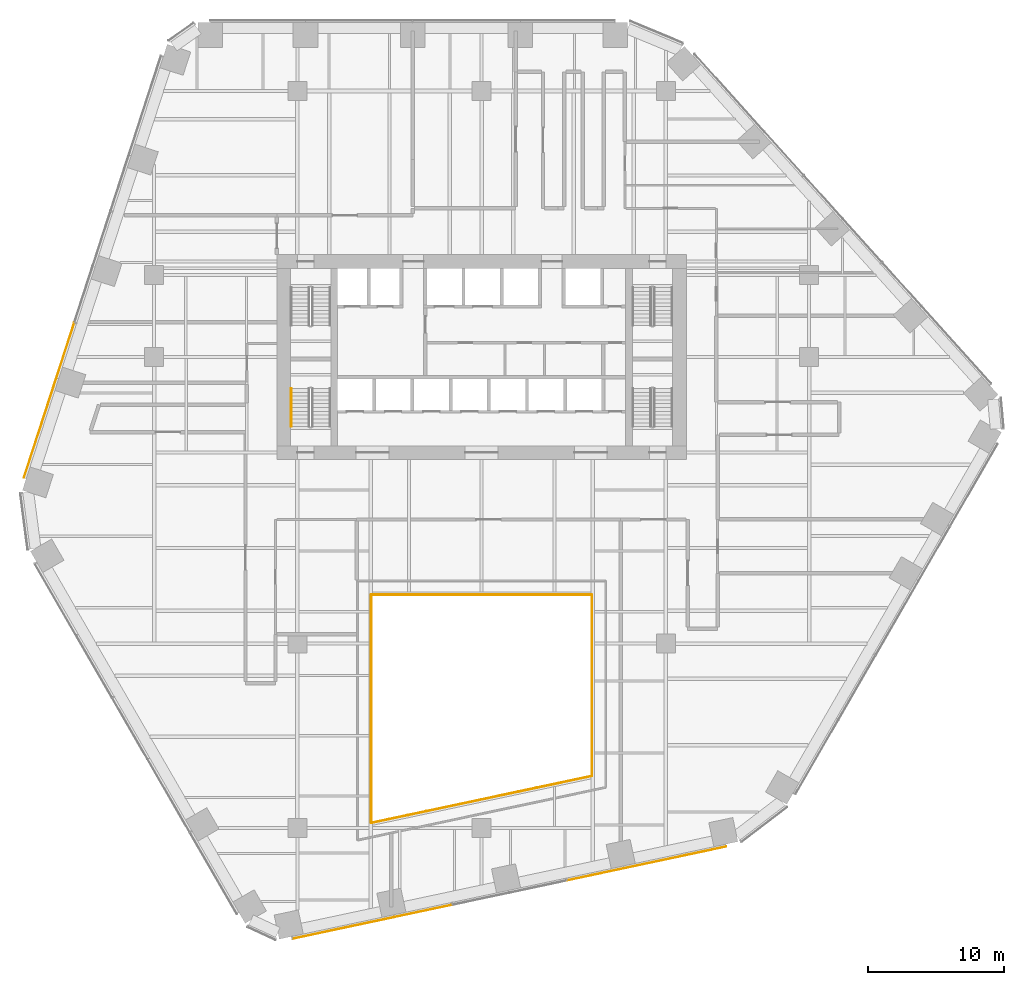
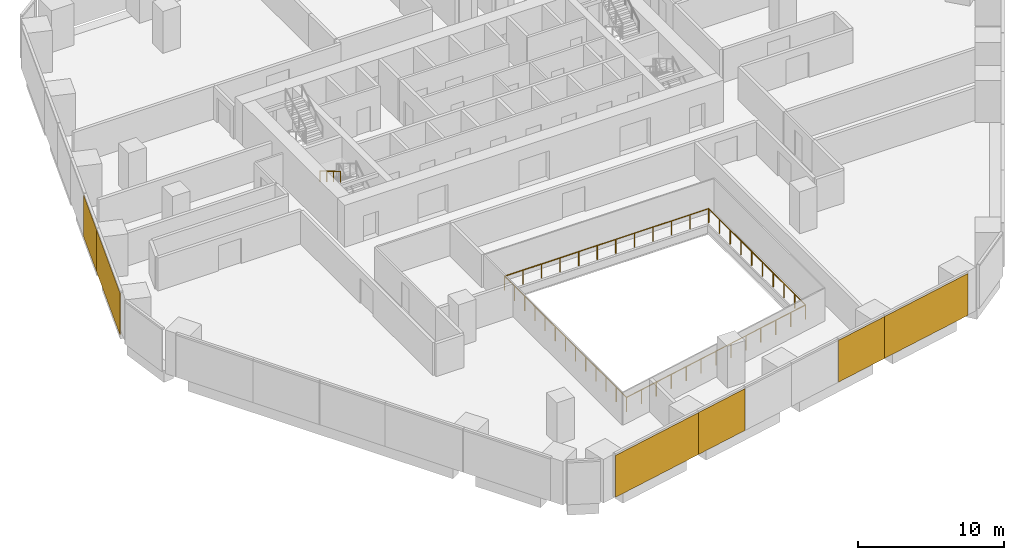
# One storey, part 18 of 21: 6 coverings, 5 railings, 2 elements without a shape of their own.
"""IFC4 building model written with IfcOpenShell, lengths in metres."""

from ifc_helpers import new_model, si_unit, direction, frame, origin, origin_2d, place, context, subcontext, project, spatial, rectangle, circle, extrude, material, layer, layer_set, type_object, element, aggregate, save


model = new_model("IFC4")

# Units and contexts
model_context = context("Model", 3, precision=1e-05, world=origin(), true_north=direction((0.0, 1.0)))
body_context = subcontext(model_context, "Body", "Model", "MODEL_VIEW")
ifc_project = project(units=[si_unit("LENGTHUNIT", "METRE"), si_unit("AREAUNIT", "SQUARE_METRE"), si_unit("VOLUMEUNIT", "CUBIC_METRE"), si_unit("PLANEANGLEUNIT", "RADIAN"), si_unit("MASSUNIT", "GRAM", prefix="KILO")], contexts=[model_context])

# Site, building, storey
site_placement = place(None, origin())
site = spatial("IfcSite", under=ifc_project, at=site_placement, CompositionType="ELEMENT")
building_placement = place(site_placement, origin())
building = spatial("IfcBuilding", under=site, at=building_placement, Name="Isthmus Gate Tower", CompositionType="ELEMENT")
storey_placement = place(building_placement, frame((0.0, 0.0, 46.949951171875)))
storey = spatial("IfcBuildingStorey", under=building, at=storey_placement, Name="L09", CompositionType="ELEMENT", Elevation=46.949951171875)

# Railings
ifc_material_1 = material(Name="Laminated toughened glass balustrade with steel rail", Category="steel")
railing_type_1 = type_object("IfcRailingType", Name="ATRIUM GUARD GLASS BALUSTRADE 1200", PredefinedType="GUARDRAIL", material=ifc_material_1)
railing_1_placement = place(storey_placement, frame((-8.080078125, -26.642822265625, 0.0)))
element("IfcRailing", 1, at=railing_1_placement, inside=storey, type_object=railing_type_1, Name="L09 atrium guard", PredefinedType="GUARDRAIL", context=body_context, shape_type="SweptSolid", body=[
    extrude(circle(Radius=0.02490234375, at=origin_2d()), frame((0.0, 0.0, 1.1748046875), z_axis=(0.0, 1.0, 0.0), x_axis=(-1.0, 0.0, 0.0)), (0.0, 0.0, 1.0), 16.722900390625),
    extrude(circle(Radius=0.02490234375, at=origin_2d()), origin(), (0.0, 0.0, 1.0), 1.14990234375),
    extrude(circle(Radius=0.02490234375, at=origin_2d()), frame((0.0, 1.3935546875, 0.0)), (0.0, 0.0, 1.0), 1.14990234375),
    extrude(circle(Radius=0.02490234375, at=origin_2d()), frame((0.0, 2.787109375, 0.0)), (0.0, 0.0, 1.0), 1.14990234375),
    extrude(circle(Radius=0.02490234375, at=origin_2d()), frame((0.0, 4.1806640625, 0.0)), (0.0, 0.0, 1.0), 1.14990234375),
    extrude(circle(Radius=0.02490234375, at=origin_2d()), frame((0.0, 5.57421875, 0.0)), (0.0, 0.0, 1.0), 1.14990234375),
    extrude(circle(Radius=0.02490234375, at=origin_2d()), frame((0.0, 6.9677734375, 0.0)), (0.0, 0.0, 1.0), 1.14990234375),
    extrude(circle(Radius=0.02490234375, at=origin_2d()), frame((0.0, 8.361328125, 0.0)), (0.0, 0.0, 1.0), 1.14990234375),
    extrude(circle(Radius=0.02490234375, at=origin_2d()), frame((0.0, 9.755126953125, 0.0)), (0.0, 0.0, 1.0), 1.14990234375),
    extrude(circle(Radius=0.02490234375, at=origin_2d()), frame((0.0, 11.148681640625, 0.0)), (0.0, 0.0, 1.0), 1.14990234375),
    extrude(circle(Radius=0.02490234375, at=origin_2d()), frame((0.0, 12.542236328125, 0.0)), (0.0, 0.0, 1.0), 1.14990234375),
    extrude(circle(Radius=0.02490234375, at=origin_2d()), frame((0.0, 13.935791015625, 0.0)), (0.0, 0.0, 1.0), 1.14990234375),
    extrude(circle(Radius=0.02490234375, at=origin_2d()), frame((0.0, 15.329345703125, 0.0)), (0.0, 0.0, 1.0), 1.14990234375),
    extrude(circle(Radius=0.02490234375, at=origin_2d()), frame((0.0, 16.722900390625, 0.0)), (0.0, 0.0, 1.0), 1.14990234375),
])
railing_2_placement = place(storey_placement, frame((-8.080078125, -9.919921875, 0.0)))
element("IfcRailing", 2, at=railing_2_placement, inside=storey, type_object=railing_type_1, Name="L09 atrium guard", PredefinedType="GUARDRAIL", context=body_context, shape_type="SweptSolid", body=[
    extrude(circle(Radius=0.02490234375, at=origin_2d()), frame((0.0, 0.0, 1.1748046875), z_axis=(1.0, 0.0, 0.0), x_axis=(0.0, 1.0, 0.0)), (0.0, 0.0, 1.0), 16.16015625),
    extrude(circle(Radius=0.02490234375, at=origin_2d()), origin(), (0.0, 0.0, 1.0), 1.14990234375),
    extrude(circle(Radius=0.02490234375, at=origin_2d()), frame((1.468994140625, 0.0, 0.0)), (0.0, 0.0, 1.0), 1.14990234375),
    extrude(circle(Radius=0.02490234375, at=origin_2d()), frame((2.938232421875, 0.0, 0.0)), (0.0, 0.0, 1.0), 1.14990234375),
    extrude(circle(Radius=0.02490234375, at=origin_2d()), frame((4.4072265625, 0.0, 0.0)), (0.0, 0.0, 1.0), 1.14990234375),
    extrude(circle(Radius=0.02490234375, at=origin_2d()), frame((5.87646484375, 0.0, 0.0)), (0.0, 0.0, 1.0), 1.14990234375),
    extrude(circle(Radius=0.02490234375, at=origin_2d()), frame((7.345458984375, 0.0, 0.0)), (0.0, 0.0, 1.0), 1.14990234375),
    extrude(circle(Radius=0.02490234375, at=origin_2d()), frame((8.814697265625, 0.0, 0.0)), (0.0, 0.0, 1.0), 1.14990234375),
    extrude(circle(Radius=0.02490234375, at=origin_2d()), frame((10.28369140625, 0.0, 0.0)), (0.0, 0.0, 1.0), 1.14990234375),
    extrude(circle(Radius=0.02490234375, at=origin_2d()), frame((11.7529296875, 0.0, 0.0)), (0.0, 0.0, 1.0), 1.14990234375),
    extrude(circle(Radius=0.02490234375, at=origin_2d()), frame((13.221923828125, 0.0, 0.0)), (0.0, 0.0, 1.0), 1.14990234375),
    extrude(circle(Radius=0.02490234375, at=origin_2d()), frame((14.691162109375, 0.0, 0.0)), (0.0, 0.0, 1.0), 1.14990234375),
    extrude(circle(Radius=0.02490234375, at=origin_2d()), frame((16.16015625, 0.0, 0.0)), (0.0, 0.0, 1.0), 1.14990234375),
])
railing_3_placement = place(storey_placement, frame((8.080078125, -9.919921875, 0.0)))
element("IfcRailing", 3, at=railing_3_placement, inside=storey, type_object=railing_type_1, Name="L09 atrium guard", PredefinedType="GUARDRAIL", context=body_context, shape_type="SweptSolid", body=[
    extrude(circle(Radius=0.02490234375, at=origin_2d()), frame((0.0, 0.0, 1.1748046875), z_axis=(0.0, -1.0, 0.0), x_axis=(1.0, 0.0, 0.0)), (0.0, 0.0, 1.0), 13.2880859375),
    extrude(circle(Radius=0.02490234375, at=origin_2d()), origin(), (0.0, 0.0, 1.0), 1.14990234375),
    extrude(circle(Radius=0.02490234375, at=origin_2d()), frame((0.0, -1.4765625, 0.0)), (0.0, 0.0, 1.0), 1.14990234375),
    extrude(circle(Radius=0.02490234375, at=origin_2d()), frame((0.0, -2.952880859375, 0.0)), (0.0, 0.0, 1.0), 1.14990234375),
    extrude(circle(Radius=0.02490234375, at=origin_2d()), frame((0.0, -4.429443359375, 0.0)), (0.0, 0.0, 1.0), 1.14990234375),
    extrude(circle(Radius=0.02490234375, at=origin_2d()), frame((0.0, -5.90576171875, 0.0)), (0.0, 0.0, 1.0), 1.14990234375),
    extrude(circle(Radius=0.02490234375, at=origin_2d()), frame((0.0, -7.38232421875, 0.0)), (0.0, 0.0, 1.0), 1.14990234375),
    extrude(circle(Radius=0.02490234375, at=origin_2d()), frame((0.0, -8.858642578125, 0.0)), (0.0, 0.0, 1.0), 1.14990234375),
    extrude(circle(Radius=0.02490234375, at=origin_2d()), frame((0.0, -10.335205078125, 0.0)), (0.0, 0.0, 1.0), 1.14990234375),
    extrude(circle(Radius=0.02490234375, at=origin_2d()), frame((0.0, -11.8115234375, 0.0)), (0.0, 0.0, 1.0), 1.14990234375),
    extrude(circle(Radius=0.02490234375, at=origin_2d()), frame((0.0, -13.2880859375, 0.0)), (0.0, 0.0, 1.0), 1.14990234375),
])
railing_4_placement = place(storey_placement, frame((8.080078125, -23.2080078125, 0.0)))
element("IfcRailing", 4, at=railing_4_placement, inside=storey, type_object=railing_type_1, Name="L09 atrium guard", PredefinedType="GUARDRAIL", context=body_context, shape_type="SweptSolid", body=[
    extrude(circle(Radius=0.02490234375, at=origin_2d()), frame((0.0, 0.0, 1.1748046875), z_axis=(-0.978149235358, -0.207904000366, 0.0), x_axis=(0.207904000366, -0.978149235358, 0.0)), (0.0, 0.0, 1.0), 16.521240234375),
    extrude(circle(Radius=0.02490234375, at=origin_2d()), origin(), (0.0, 0.0, 1.0), 1.14990234375),
    extrude(circle(Radius=0.02490234375, at=origin_2d()), frame((-1.3466796875, -0.2861328125, 0.0)), (0.0, 0.0, 1.0), 1.14990234375),
    extrude(circle(Radius=0.02490234375, at=origin_2d()), frame((-2.693359375, -0.572509765625, 0.0)), (0.0, 0.0, 1.0), 1.14990234375),
    extrude(circle(Radius=0.02490234375, at=origin_2d()), frame((-4.0400390625, -0.858642578125, 0.0)), (0.0, 0.0, 1.0), 1.14990234375),
    extrude(circle(Radius=0.02490234375, at=origin_2d()), frame((-5.38671875, -1.14501953125, 0.0)), (0.0, 0.0, 1.0), 1.14990234375),
    extrude(circle(Radius=0.02490234375, at=origin_2d()), frame((-6.7333984375, -1.43115234375, 0.0)), (0.0, 0.0, 1.0), 1.14990234375),
    extrude(circle(Radius=0.02490234375, at=origin_2d()), frame((-8.080078125, -1.71728515625, 0.0)), (0.0, 0.0, 1.0), 1.14990234375),
    extrude(circle(Radius=0.02490234375, at=origin_2d()), frame((-9.4267578125, -2.003662109375, 0.0)), (0.0, 0.0, 1.0), 1.14990234375),
    extrude(circle(Radius=0.02490234375, at=origin_2d()), frame((-10.7734375, -2.289794921875, 0.0)), (0.0, 0.0, 1.0), 1.14990234375),
    extrude(circle(Radius=0.02490234375, at=origin_2d()), frame((-12.1201171875, -2.576171875, 0.0)), (0.0, 0.0, 1.0), 1.14990234375),
    extrude(circle(Radius=0.02490234375, at=origin_2d()), frame((-13.466796875, -2.8623046875, 0.0)), (0.0, 0.0, 1.0), 1.14990234375),
    extrude(circle(Radius=0.02490234375, at=origin_2d()), frame((-14.8134765625, -3.148681640625, 0.0)), (0.0, 0.0, 1.0), 1.14990234375),
    extrude(circle(Radius=0.02490234375, at=origin_2d()), frame((-16.16015625, -3.434814453125, 0.0)), (0.0, 0.0, 1.0), 1.14990234375),
])

# Curtain wall, coverings
ifc_material_2 = material(Name="Aluminium, pale champagne anodised", Category="aluminium")
ifc_layer_1 = layer(ifc_material_2, 0.199951171875)
ifc_layer_set_1 = layer_set([ifc_layer_1], Name="CW-1 UNITISED CURTAIN WALL 200 DEEP")
curtain_wall_type = type_object("IfcCurtainWallType", Name="CW-1 UNITISED CURTAIN WALL 200 DEEP", PredefinedType="NOTDEFINED", material=ifc_layer_set_1)
curtain_wall_1_placement = place(storey_placement, origin())
curtain_wall_1 = element("IfcCurtainWall", 5, at=curtain_wall_1_placement, inside=storey, type_object=curtain_wall_type, Name="CW-1 NW L09", PredefinedType="NOTDEFINED")
ifc_material_3 = material(Name="Aluminium composite panel, pale champagne anodised", Category="aluminium")
ifc_layer_2 = layer(ifc_material_3, 0.0400390625)
ifc_layer_set_2 = layer_set([ifc_layer_2], Name="CW-1 PALE METAL PANEL 40")
covering_type = type_object("IfcCoveringType", Name="CW-1 PALE METAL PANEL 40", PredefinedType="CLADDING", material=ifc_layer_set_2)
covering_1_placement = place(storey_placement, frame((-30.5087890625, 7.9775390625, 0.0), z_axis=(0.0, 0.0, 1.0), x_axis=(-0.309016994375, -0.951056516295, 0.0)))
covering_1 = element("IfcCovering", 6, at=covering_1_placement, type_object=covering_type, Name="CW-1 pale metal panel", PredefinedType="CLADDING", context=body_context, shape_type="SweptSolid", body=[
    extrude(rectangle(XDim=4.234619140625, YDim=0.0400390625, at=origin_2d()), origin(), (0.0, 0.0, 1.0), 3.5),
])
covering_2_placement = place(storey_placement, frame((-32.35107421875, 2.30712890625, 0.0), z_axis=(0.0, 0.0, 1.0), x_axis=(-0.309016994375, -0.951056516295, 0.0)))
covering_2 = element("IfcCovering", 7, at=covering_2_placement, type_object=covering_type, Name="CW-1 pale metal panel", PredefinedType="CLADDING", context=body_context, shape_type="SweptSolid", body=[
    extrude(rectangle(XDim=7.689453125, YDim=0.0400390625, at=origin_2d()), origin(), (0.0, 0.0, 1.0), 3.5),
])
aggregate(curtain_wall_1, [covering_1, covering_2])

curtain_wall_2_placement = place(storey_placement, origin())
curtain_wall_2 = element("IfcCurtainWall", 8, at=curtain_wall_2_placement, inside=storey, type_object=curtain_wall_type, Name="CW-1 S L09", PredefinedType="NOTDEFINED")
covering_3_placement = place(storey_placement, frame((-10.117919921875, -34.334716796875, 0.0), z_axis=(0.0, 0.0, 1.0), x_axis=(0.978147600734, 0.207911690818, 0.0)))
covering_3 = element("IfcCovering", 9, at=covering_3_placement, type_object=covering_type, Name="CW-1 pale metal panel", PredefinedType="CLADDING", context=body_context, shape_type="SweptSolid", body=[
    extrude(rectangle(XDim=7.62939453125, YDim=0.0400390625, at=origin_2d()), origin(), (0.0, 0.0, 1.0), 3.5),
])
covering_4_placement = place(storey_placement, frame((-4.2861328125, -33.094970703125, 0.0), z_axis=(0.0, 0.0, 1.0), x_axis=(0.978147600734, 0.207911690818, 0.0)))
covering_4 = element("IfcCovering", 10, at=covering_4_placement, type_object=covering_type, Name="CW-1 pale metal panel", PredefinedType="CLADDING", context=body_context, shape_type="SweptSolid", body=[
    extrude(rectangle(XDim=4.294677734375, YDim=0.0400390625, at=origin_2d()), origin(), (0.0, 0.0, 1.0), 3.5),
])
covering_5_placement = place(storey_placement, frame((8.345703125, -30.41015625, 0.0), z_axis=(0.0, 0.0, 1.0), x_axis=(0.978147600734, 0.207911690818, 0.0)))
covering_5 = element("IfcCovering", 11, at=covering_5_placement, type_object=covering_type, Name="CW-1 pale metal panel", PredefinedType="CLADDING", context=body_context, shape_type="SweptSolid", body=[
    extrude(rectangle(XDim=4.234619140625, YDim=0.0400390625, at=origin_2d()), origin(), (0.0, 0.0, 1.0), 3.5),
])
covering_6_placement = place(storey_placement, frame((14.177490234375, -29.17041015625, 0.0), z_axis=(0.0, 0.0, 1.0), x_axis=(0.978147600734, 0.207911690818, 0.0)))
covering_6 = element("IfcCovering", 12, at=covering_6_placement, type_object=covering_type, Name="CW-1 pale metal panel", PredefinedType="CLADDING", context=body_context, shape_type="SweptSolid", body=[
    extrude(rectangle(XDim=7.689453125, YDim=0.0400390625, at=origin_2d()), origin(), (0.0, 0.0, 1.0), 3.5),
])
aggregate(curtain_wall_2, [covering_3, covering_4, covering_5, covering_6])

# Railing
ifc_material_4 = material(Name="Stainless steel handrail", Category="steel")
railing_type_2 = type_object("IfcRailingType", Name="STAIR HANDRAIL 900", PredefinedType="HANDRAIL", material=ifc_material_4)
railing_5_placement = place(storey_placement, frame((-13.949951171875, 5.199951171875, 1.990966796875)))
element("IfcRailing", 13, at=railing_5_placement, inside=storey, type_object=railing_type_2, Name="L09 ST7 stair handrail 2", PredefinedType="HANDRAIL", context=body_context, shape_type="SweptSolid", body=[
    extrude(circle(Radius=0.02392578125, at=origin_2d()), frame((0.0, 0.0, 0.8759765625), z_axis=(0.0, -0.860306154799, 0.50977771628), x_axis=(1.0, 0.0, 0.0)), (0.0, 0.0, 1.0), 3.254638671875),
    extrude(circle(Radius=0.02099609375, at=origin_2d()), origin(), (0.0, 0.0, 1.0), 0.851806640625),
    extrude(circle(Radius=0.02099609375, at=origin_2d()), frame((0.0, -0.933349609375, 0.552978515625)), (0.0, 0.0, 1.0), 0.851806640625),
    extrude(circle(Radius=0.02099609375, at=origin_2d()), frame((0.0, -1.86669921875, 1.106201171875)), (0.0, 0.0, 1.0), 0.851806640625),
    extrude(circle(Radius=0.02099609375, at=origin_2d()), frame((0.0, -2.800048828125, 1.6591796875)), (0.0, 0.0, 1.0), 0.851806640625),
])

save(model, "model.ifc")
